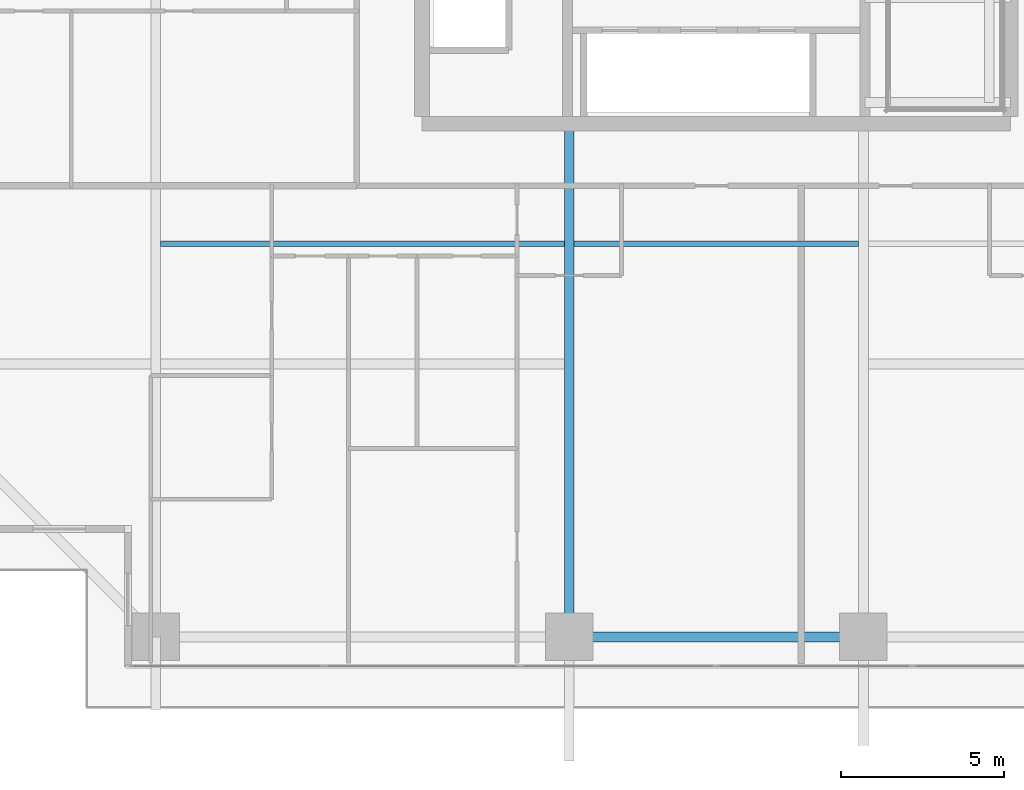
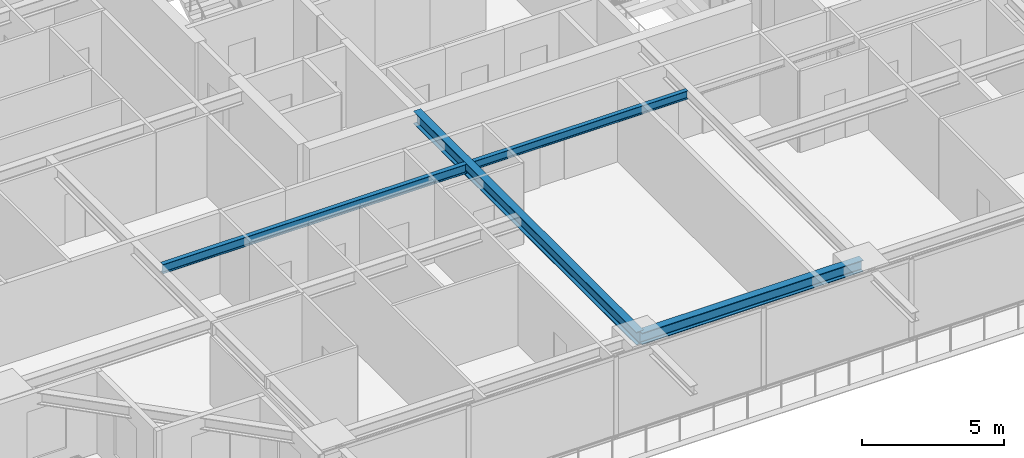
# One storey, part 5 of 34: 4 beams.
"""IFC4 building model written with IfcOpenShell, lengths in metres."""

from ifc_helpers import new_model, si_unit, direction, frame, origin, origin_2d, place, context, subcontext, project, spatial, i_section, extrude, source, transform, mapped, material, material_profile, profile_set, type_object, element, save


model = new_model("IFC4")

# Units and contexts
model_context = context("Model", 3, precision=1e-05, world=origin(), true_north=direction((0.0, 1.0)))
body_context = subcontext(model_context, "Body", "Model", "MODEL_VIEW")
ifc_project = project(units=[si_unit("LENGTHUNIT", "METRE"), si_unit("AREAUNIT", "SQUARE_METRE"), si_unit("VOLUMEUNIT", "CUBIC_METRE"), si_unit("PLANEANGLEUNIT", "RADIAN"), si_unit("MASSUNIT", "GRAM", prefix="KILO")], contexts=[model_context])

# Site, building, storey
site_placement = place(None, origin())
site = spatial("IfcSite", under=ifc_project, at=site_placement, CompositionType="ELEMENT")
building_placement = place(site_placement, origin())
building = spatial("IfcBuilding", under=site, at=building_placement, Name="Serunith Strait Residences", CompositionType="ELEMENT")
storey_placement = place(building_placement, frame((0.0, 0.0, 101.699951171875)))
storey = spatial("IfcBuildingStorey", under=building, at=storey_placement, Name="L25", CompositionType="ELEMENT", Elevation=101.699951171875)

# Beams
ifc_material = material(Name="Steel S355J2", Category="steel")
ifc_material_profile_1 = material_profile(ifc_material, i_section(OverallWidth=0.300048828125, OverallDepth=0.550048828125, WebThickness=0.014892578125, FlangeThickness=0.029052734375, FilletRadius=0.027099609375, at=origin_2d()), Name="HEB 550")
ifc_profile_set_1 = profile_set([ifc_material_profile_1], Name="Steel S355J2")
beam_type_1 = type_object("IfcBeamType", Name="BM-HEB550", PredefinedType="BEAM", material=ifc_profile_set_1)
shared_shape_1 = source(origin(), body_context, "Body", "SweptSolid", [
    extrude(i_section(OverallWidth=0.300048828125, OverallDepth=0.550048828125, WebThickness=0.014892578125, FlangeThickness=0.029052734375, FilletRadius=0.027099609375, at=origin_2d()), origin(), (0.0, 0.0, 1.0), 15.699951171875),
])
beam_1_placement = place(storey_placement, frame((27.89990234375, 16.800048828125, 3.212158203125), z_axis=(0.0, -1.0, 0.0), x_axis=(1.0, 0.0, 0.0)))
element("IfcBeam", 1, at=beam_1_placement, inside=storey, type_object=beam_type_1, Name="L25 Primary Floor Girder TC-S2", PredefinedType="BEAM", context=body_context, shape_type="MappedRepresentation", body=[
    mapped(shared_shape_1, transform((0.0, 0.0, 0.0), scale=1.0)),
])
ifc_material_profile_2 = material_profile(ifc_material, i_section(OverallWidth=0.300048828125, OverallDepth=0.5, WebThickness=0.014404296875, FlangeThickness=0.028076171875, FilletRadius=0.027099609375, at=origin_2d()), Name="HEB 500")
ifc_profile_set_2 = profile_set([ifc_material_profile_2], Name="Steel S355J2")
beam_type_2 = type_object("IfcBeamType", Name="BM-HEB500", PredefinedType="BEAM", material=ifc_profile_set_2)
shared_shape_2 = source(origin(), body_context, "Body", "SweptSolid", [
    extrude(i_section(OverallWidth=0.300048828125, OverallDepth=0.5, WebThickness=0.014404296875, FlangeThickness=0.028076171875, FilletRadius=0.027099609375, at=origin_2d()), origin(), (0.0, 0.0, 1.0), 9.0),
])
beam_2_placement = place(storey_placement, frame((27.89990234375, 1.10009765625, 3.237060546875), z_axis=(1.0, 0.0, 0.0), x_axis=(0.0, 1.0, 0.0)))
element("IfcBeam", 2, at=beam_2_placement, inside=storey, type_object=beam_type_2, Name="L25 Perimeter Ring Beam 02", PredefinedType="BEAM", context=body_context, shape_type="MappedRepresentation", body=[
    mapped(shared_shape_2, transform((0.0, 0.0, 0.0), scale=1.0)),
])
ifc_material_profile_3 = material_profile(ifc_material, i_section(OverallWidth=0.179931640625, OverallDepth=0.39990234375, WebThickness=0.008544921875, FlangeThickness=0.013427734375, FilletRadius=0.02099609375, at=origin_2d()), Name="IPE 400")
ifc_profile_set_3 = profile_set([ifc_material_profile_3], Name="Steel S355J2")
beam_type_3 = type_object("IfcBeamType", Name="BM-IPE400", PredefinedType="JOIST", material=ifc_profile_set_3)
shared_shape_3 = source(origin(), body_context, "Body", "SweptSolid", [
    extrude(i_section(OverallWidth=0.179931640625, OverallDepth=0.39990234375, WebThickness=0.008544921875, FlangeThickness=0.013427734375, FilletRadius=0.02099609375, at=origin_2d()), origin(), (0.0, 0.0, 1.0), 12.35009765625),
])
beam_3_placement = place(storey_placement, frame((15.39990234375, 13.125, 3.287109375), z_axis=(1.0, 0.0, 0.0), x_axis=(0.0, 1.0, 0.0)))
element("IfcBeam", 3, at=beam_3_placement, inside=storey, type_object=beam_type_3, Name="L25 Composite Floor Joist 01", PredefinedType="JOIST", context=body_context, shape_type="MappedRepresentation", body=[
    mapped(shared_shape_3, transform((0.0, 0.0, 0.0), scale=1.0)),
])
ifc_material_profile_4 = material_profile(ifc_material, i_section(OverallWidth=0.169921875, OverallDepth=0.360107421875, WebThickness=0.008056640625, FlangeThickness=0.0126953125, FilletRadius=0.01806640625, at=origin_2d()), Name="IPE 360")
ifc_profile_set_4 = profile_set([ifc_material_profile_4], Name="Steel S355J2")
beam_type_4 = type_object("IfcBeamType", Name="BM-IPE360", PredefinedType="JOIST", material=ifc_profile_set_4)
shared_shape_4 = source(origin(), body_context, "Body", "SweptSolid", [
    extrude(i_section(OverallWidth=0.169921875, OverallDepth=0.360107421875, WebThickness=0.008056640625, FlangeThickness=0.0126953125, FilletRadius=0.01806640625, at=origin_2d()), origin(), (0.0, 0.0, 1.0), 8.699951171875),
])
beam_4_placement = place(storey_placement, frame((28.050048828125, 13.125, 3.30712890625), z_axis=(1.0, 0.0, 0.0), x_axis=(0.0, 1.0, 0.0)))
element("IfcBeam", 4, at=beam_4_placement, inside=storey, type_object=beam_type_4, Name="L25 Composite Floor Joist 02", PredefinedType="JOIST", context=body_context, shape_type="MappedRepresentation", body=[
    mapped(shared_shape_4, transform((0.0, 0.0, 0.0), scale=1.0)),
])

save(model, "model.ifc")
